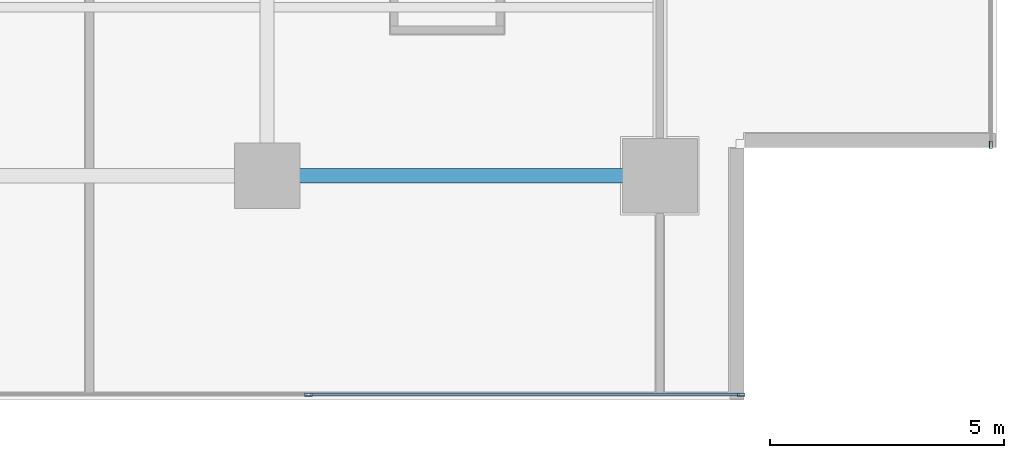
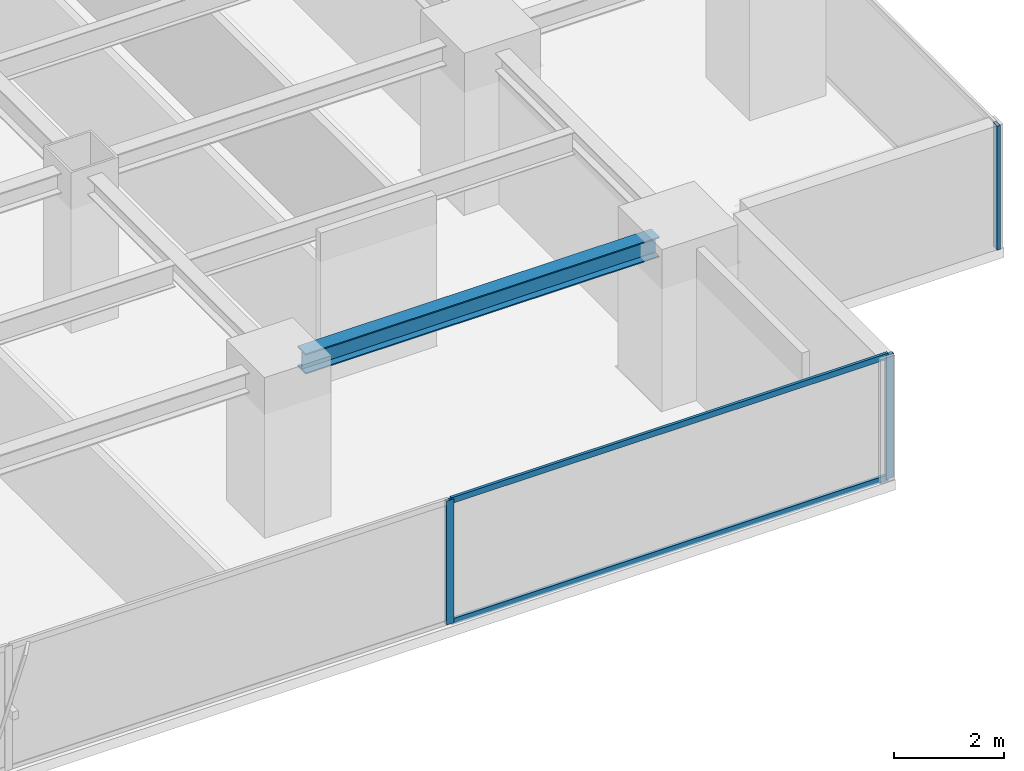
# One storey, part 9 of 27: 5 members, 1 beam, 2 elements without a shape of their own.
"""IFC4 building model written with IfcOpenShell, lengths in metres."""

from ifc_helpers import new_model, si_unit, direction, frame, origin, origin_2d, place, context, subcontext, project, spatial, hollow_rectangle, i_section, extrude, source, transform, mapped, material, layer, layer_set, material_profile, profile_set, type_object, element, aggregate, save


model = new_model("IFC4")

# Units and contexts
model_context = context("Model", 3, precision=1e-05, world=origin(), true_north=direction((0.0, 1.0)))
body_context = subcontext(model_context, "Body", "Model", "MODEL_VIEW")
ifc_project = project(units=[si_unit("LENGTHUNIT", "METRE"), si_unit("AREAUNIT", "SQUARE_METRE"), si_unit("VOLUMEUNIT", "CUBIC_METRE"), si_unit("PLANEANGLEUNIT", "RADIAN"), si_unit("MASSUNIT", "GRAM", prefix="KILO")], contexts=[model_context])

# Site, building, storey
site_placement = place(None, origin())
site = spatial("IfcSite", under=ifc_project, at=site_placement, CompositionType="ELEMENT")
building_placement = place(site_placement, origin())
building = spatial("IfcBuilding", under=site, at=building_placement, Name="Sumidabori Civic Tower", CompositionType="ELEMENT")
storey_placement = place(building_placement, frame((0.0, 0.0, 156.800048828125)))
storey = spatial("IfcBuildingStorey", under=building, at=storey_placement, Name="L40", CompositionType="ELEMENT", Elevation=156.800048828125)

# Beam
ifc_material_1 = material(Name="Steel SN490", Category="steel")
ifc_material_profile_1 = material_profile(ifc_material_1, i_section(OverallWidth=0.300048828125, OverallDepth=0.449951171875, WebThickness=0.013916015625, FlangeThickness=0.02587890625, at=origin_2d()), Name="HE 450 B")
ifc_profile_set_1 = profile_set([ifc_material_profile_1], Name="Steel SN490")
beam_type = type_object("IfcBeamType", Name="BM-GIRD-450", PredefinedType="BEAM", material=ifc_profile_set_1)
shared_shape_1 = source(origin(), body_context, "Body", "SweptSolid", [
    extrude(i_section(OverallWidth=0.300048828125, OverallDepth=0.449951171875, WebThickness=0.013916015625, FlangeThickness=0.02587890625, at=origin_2d()), origin(), (0.0, 0.0, 1.0), 7.440185546875),
])
beam_placement = place(storey_placement, frame((8.8798828125, -18.0, 3.155029296875), z_axis=(1.0, 0.0, 0.0), x_axis=(0.0, 1.0, 0.0)))
element("IfcBeam", 1, at=beam_placement, inside=storey, type_object=beam_type, Name="Primary Girder L40 GX-04", PredefinedType="BEAM", context=body_context, shape_type="MappedRepresentation", body=[
    mapped(shared_shape_1, transform((0.0, 0.0, 0.0), x_axis=(1.0, 0.0, 0.0), y_axis=(0.0, 1.0, 0.0), z_axis=(0.0, 0.0, 1.0), scale=1.0)),
])

# Curtain wall, members
ifc_material_2 = material(Name="Anodised Bronze Aluminium AW-6063-T6", Category="aluminium")
ifc_layer = layer(ifc_material_2, 0.179931640625, Name="Anodised Bronze Aluminium AW-6063-T6")
ifc_layer_set = layer_set([ifc_layer], Name="Anodised Bronze Aluminium AW-6063-T6")
curtain_wall_type = type_object("IfcCurtainWallType", Name="CW-SYS-3", PredefinedType="NOTDEFINED", material=ifc_layer_set)
curtain_wall_1_placement = place(storey_placement, origin())
curtain_wall_1 = element("IfcCurtainWall", 2, at=curtain_wall_1_placement, inside=storey, type_object=curtain_wall_type, Name="Curtain Wall CW:L40:R01", PredefinedType="NOTDEFINED")
ifc_material_profile_2 = material_profile(ifc_material_2, hollow_rectangle(XDim=0.06494140625, YDim=0.159912109375, WallThickness=0.0048828125, at=origin_2d()), Name="ALU MULLION 160x65")
ifc_profile_set_2 = profile_set([ifc_material_profile_2], Name="Anodised Bronze Aluminium AW-6063-T6")
member_type_1 = type_object("IfcMemberType", Name="CW-MUL-160", PredefinedType="MULLION", material=ifc_profile_set_2)
shared_shape_2 = source(origin(), body_context, "Body", "SweptSolid", [
    extrude(hollow_rectangle(XDim=0.06494140625, YDim=0.159912109375, WallThickness=0.0048828125, at=origin_2d()), origin(), (0.0, 0.0, 1.0), 2.760009765625),
])
member_1_placement = place(storey_placement, frame((9.284912109375, -22.679931640625, 0.0), z_axis=(0.0, 0.0, 1.0), x_axis=(0.0, 1.0, 0.0)))
member_1 = element("IfcMember", 3, at=member_1_placement, type_object=member_type_1, Name="CW-3 mullion 4", PredefinedType="MULLION", context=body_context, shape_type="MappedRepresentation", body=[
    mapped(shared_shape_2, transform((0.0, 0.0, 0.0), x_axis=(1.0, 0.0, 0.0), y_axis=(0.0, 1.0, 0.0), z_axis=(0.0, 0.0, 1.0), scale=1.0)),
])
member_2_placement = place(storey_placement, frame((18.53759765625, -22.679931640625, 0.0), z_axis=(0.0, 0.0, 1.0), x_axis=(0.0, 1.0, 0.0)))
member_2 = element("IfcMember", 4, at=member_2_placement, type_object=member_type_1, Name="CW-3 mullion 5", PredefinedType="MULLION", context=body_context, shape_type="MappedRepresentation", body=[
    mapped(shared_shape_2, transform((0.0, 0.0, 0.0), x_axis=(1.0, 0.0, 0.0), y_axis=(0.0, 1.0, 0.0), z_axis=(0.0, 0.0, 1.0), scale=1.0)),
])

# Curtain wall, member
curtain_wall_2_placement = place(storey_placement, origin())
curtain_wall_2 = element("IfcCurtainWall", 5, at=curtain_wall_2_placement, inside=storey, type_object=curtain_wall_type, Name="Curtain Wall CW:L40:R04", PredefinedType="NOTDEFINED")
member_3_placement = place(storey_placement, frame((23.8798828125, -17.33740234375, 0.0), z_axis=(0.0, 0.0, 1.0), x_axis=(-1.0, 0.0, 0.0)))
member_3 = element("IfcMember", 6, at=member_3_placement, type_object=member_type_1, Name="CW-3 mullion 1", PredefinedType="MULLION", context=body_context, shape_type="MappedRepresentation", body=[
    mapped(shared_shape_2, transform((0.0, 0.0, 0.0), x_axis=(1.0, 0.0, 0.0), y_axis=(0.0, 1.0, 0.0), z_axis=(0.0, 0.0, 1.0), scale=1.0)),
])
aggregate(curtain_wall_2, [member_3])

# Member
ifc_material_profile_3 = material_profile(ifc_material_2, hollow_rectangle(XDim=0.06005859375, YDim=0.1298828125, WallThickness=0.0048828125, at=origin_2d()), Name="ALU TRANSOM 130x60")
ifc_profile_set_3 = profile_set([ifc_material_profile_3], Name="Anodised Bronze Aluminium AW-6063-T6")
member_type_2 = type_object("IfcMemberType", Name="CW-TRN-130", PredefinedType="USERDEFINED", material=ifc_profile_set_3)
shared_shape_3 = source(origin(), body_context, "Body", "SweptSolid", [
    extrude(hollow_rectangle(XDim=0.06005859375, YDim=0.1298828125, WallThickness=0.0048828125, at=origin_2d()), origin(), (0.0, 0.0, 1.0), 9.1875),
])
member_4_placement = place(storey_placement, frame((9.3173828125, -22.679931640625, 0.030029296875), z_axis=(1.0, 0.0, 0.0), x_axis=(0.0, 1.0, 0.0)))
member_4 = element("IfcMember", 7, at=member_4_placement, type_object=member_type_2, Name="CW-3 transom 4.1", ObjectType="TRANSOM", PredefinedType="USERDEFINED", context=body_context, shape_type="MappedRepresentation", body=[
    mapped(shared_shape_3, transform((0.0, 0.0, 0.0), x_axis=(1.0, 0.0, 0.0), y_axis=(0.0, 1.0, 0.0), z_axis=(0.0, 0.0, 1.0), scale=1.0)),
])

member_5_placement = place(storey_placement, frame((9.3173828125, -22.679931640625, 2.72998046875), z_axis=(1.0, 0.0, 0.0), x_axis=(0.0, 1.0, 0.0)))
member_5 = element("IfcMember", 8, at=member_5_placement, type_object=member_type_2, Name="CW-3 transom 4.2", ObjectType="TRANSOM", PredefinedType="USERDEFINED", context=body_context, shape_type="MappedRepresentation", body=[
    mapped(shared_shape_3, transform((0.0, 0.0, 0.0), x_axis=(1.0, 0.0, 0.0), y_axis=(0.0, 1.0, 0.0), z_axis=(0.0, 0.0, 1.0), scale=1.0)),
])

aggregate(curtain_wall_1, [member_1, member_2, member_4, member_5])

save(model, "model.ifc")
